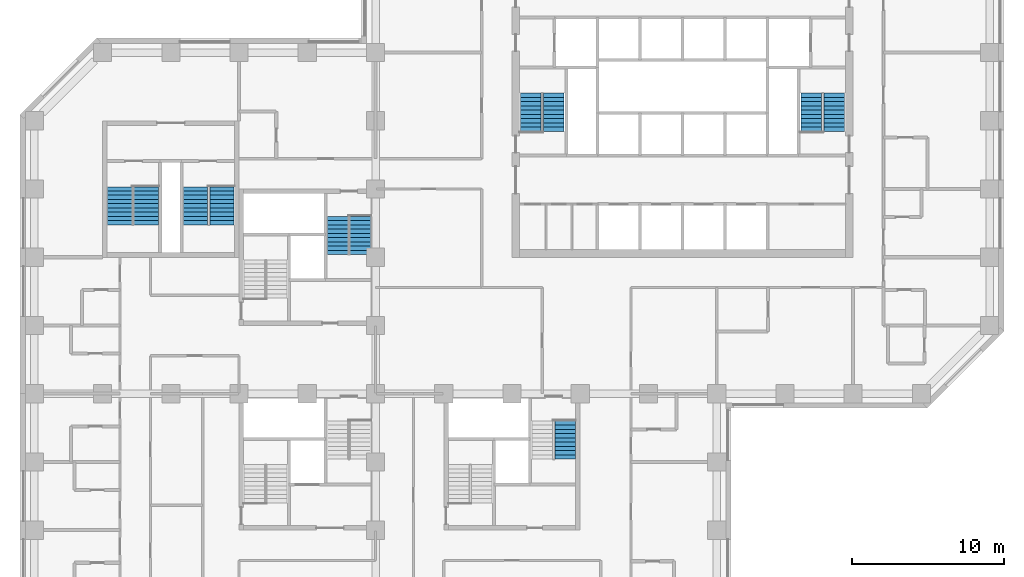
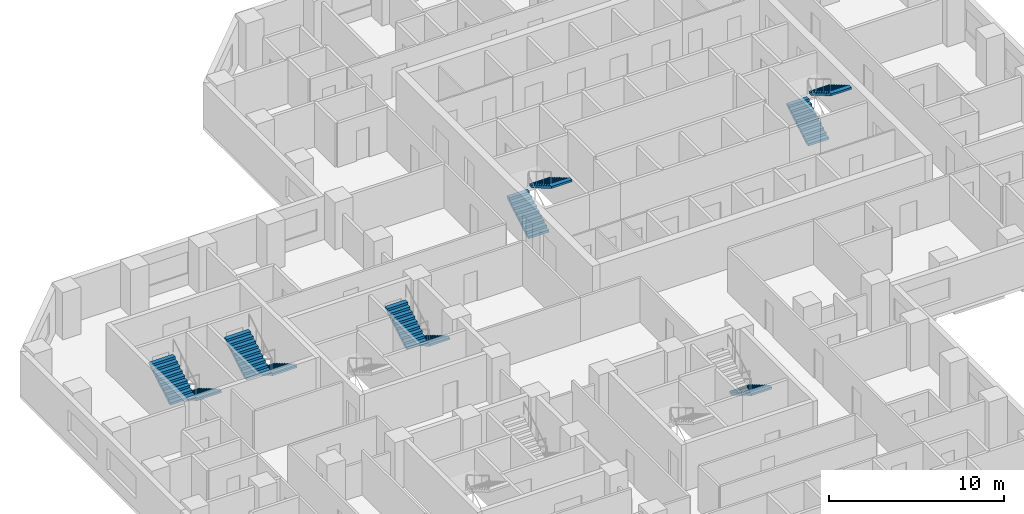
# One storey, part 11 of 12: 11 stair flights, 6 elements without a shape of their own.
"""IFC4 building model written with IfcOpenShell, lengths in metres."""

from ifc_helpers import new_model, si_unit, direction, frame, origin, place, context, subcontext, project, spatial, polyline, outline, extrude, material, type_object, element, aggregate, save


model = new_model("IFC4")

# Units and contexts
model_context = context("Model", 3, precision=1e-05, world=origin(), true_north=direction((0.0, 1.0)))
body_context = subcontext(model_context, "Body", "Model", "MODEL_VIEW")
ifc_project = project(units=[si_unit("LENGTHUNIT", "METRE"), si_unit("AREAUNIT", "SQUARE_METRE"), si_unit("VOLUMEUNIT", "CUBIC_METRE"), si_unit("PLANEANGLEUNIT", "RADIAN"), si_unit("MASSUNIT", "GRAM", prefix="KILO")], contexts=[model_context])

# Site, building, storey
site_placement = place(None, origin())
site = spatial("IfcSite", under=ifc_project, at=site_placement, CompositionType="ELEMENT")
building_placement = place(site_placement, origin())
building = spatial("IfcBuilding", under=site, at=building_placement, Name="Quoin Convention Tower", CompositionType="ELEMENT")
storey_placement = place(building_placement, frame((0.0, 0.0, 33.0)))
storey = spatial("IfcBuildingStorey", under=building, at=storey_placement, Name="L07", CompositionType="ELEMENT", Elevation=33.0)

# Stair, stair flights
ifc_material = material(Name="Concrete C40", Category="concrete")
stair_type_1 = type_object("IfcStairType", Name="Exit stair two-flight 1350", PredefinedType="HALF_TURN_STAIR", material=ifc_material)
stair_1_placement = place(storey_placement, origin())
stair_1 = element("IfcStair", 1, at=stair_1_placement, inside=storey, type_object=stair_type_1, Name="SD1 L07", PredefinedType="HALF_TURN_STAIR")
stair_flight_type_1 = type_object("IfcStairFlightType", Name="Stair flight 1350", PredefinedType="STRAIGHT", material=ifc_material)
stair_flight_1_placement = place(storey_placement, frame((46.25, 57.800048828125, 0.0), z_axis=(0.0, 0.0, 1.0), x_axis=(0.0, 1.0, 0.0)))
stair_flight_1 = element("IfcStairFlight", 2, at=stair_flight_1_placement, type_object=stair_flight_type_1, Name="ST1 flight 1", NumberOfRisers=10, NumberOfTreads=9, PredefinedType="STRAIGHT", RiserHeight=0.165, TreadLength=0.28, context=body_context, shape_type="SweptSolid", body=[
    extrude(outline(polyline([(0.0, 0.0), (0.0, 0.1650390625), (0.280029296875, 0.1650390625), (0.280029296875, 0.330078125), (0.56005859375, 0.330078125), (0.56005859375, 0.4951171875), (0.840087890625, 0.4951171875), (0.840087890625, 0.659912109375), (1.1201171875, 0.659912109375), (1.1201171875, 0.824951171875), (1.39990234375, 0.824951171875), (1.39990234375, 0.989990234375), (1.679931640625, 0.989990234375), (1.679931640625, 1.155029296875), (1.9599609375, 1.155029296875), (1.9599609375, 1.320068359375), (2.239990234375, 1.320068359375), (2.239990234375, 1.485107421875), (2.52001953125, 1.485107421875), (2.52001953125, 1.64990234375), (2.52001953125, 1.345458984375), (0.236572265625, 0.0), (0.0, 0.0)])), frame((0.0, 0.675048828125, 0.0), z_axis=(0.0, -1.0, 0.0), x_axis=(1.0, 0.0, 0.0)), (0.0, 0.0, 1.0), 1.35009765625),
])
stair_flight_2_placement = place(storey_placement, frame((47.75, 60.320068359375, 1.64990234375), z_axis=(0.0, 0.0, 1.0), x_axis=(0.0, -1.0, 0.0)))
stair_flight_2 = element("IfcStairFlight", 3, at=stair_flight_2_placement, type_object=stair_flight_type_1, Name="ST1 flight 2", NumberOfRisers=10, NumberOfTreads=9, PredefinedType="STRAIGHT", RiserHeight=0.165, TreadLength=0.28, context=body_context, shape_type="SweptSolid", body=[
    extrude(outline(polyline([(0.0, 0.0), (0.0, 0.1650390625), (0.280029296875, 0.1650390625), (0.280029296875, 0.330078125), (0.56005859375, 0.330078125), (0.56005859375, 0.4951171875), (0.840087890625, 0.4951171875), (0.840087890625, 0.659912109375), (1.1201171875, 0.659912109375), (1.1201171875, 0.824951171875), (1.39990234375, 0.824951171875), (1.39990234375, 0.989990234375), (1.679931640625, 0.989990234375), (1.679931640625, 1.155029296875), (1.9599609375, 1.155029296875), (1.9599609375, 1.320068359375), (2.239990234375, 1.320068359375), (2.239990234375, 1.485107421875), (2.52001953125, 1.485107421875), (2.52001953125, 1.64990234375), (2.52001953125, 1.345458984375), (0.236572265625, 0.0), (0.0, 0.0)])), frame((0.0, 0.675048828125, 0.0), z_axis=(0.0, -1.0, 0.0), x_axis=(1.0, 0.0, 0.0)), (0.0, 0.0, 1.0), 1.35009765625),
])
aggregate(stair_1, [stair_flight_1, stair_flight_2])

stair_2_placement = place(storey_placement, origin())
stair_2 = element("IfcStair", 4, at=stair_2_placement, inside=storey, type_object=stair_type_1, Name="SD2 L07", PredefinedType="HALF_TURN_STAIR")
stair_flight_3_placement = place(storey_placement, frame((64.75, 57.800048828125, 0.0), z_axis=(0.0, 0.0, 1.0), x_axis=(0.0, 1.0, 0.0)))
stair_flight_3 = element("IfcStairFlight", 5, at=stair_flight_3_placement, type_object=stair_flight_type_1, Name="ST2 flight 1", NumberOfRisers=10, NumberOfTreads=9, PredefinedType="STRAIGHT", RiserHeight=0.165, TreadLength=0.28, context=body_context, shape_type="SweptSolid", body=[
    extrude(outline(polyline([(0.0, 0.0), (0.0, 0.1650390625), (0.280029296875, 0.1650390625), (0.280029296875, 0.330078125), (0.56005859375, 0.330078125), (0.56005859375, 0.4951171875), (0.840087890625, 0.4951171875), (0.840087890625, 0.659912109375), (1.1201171875, 0.659912109375), (1.1201171875, 0.824951171875), (1.39990234375, 0.824951171875), (1.39990234375, 0.989990234375), (1.679931640625, 0.989990234375), (1.679931640625, 1.155029296875), (1.9599609375, 1.155029296875), (1.9599609375, 1.320068359375), (2.239990234375, 1.320068359375), (2.239990234375, 1.485107421875), (2.52001953125, 1.485107421875), (2.52001953125, 1.64990234375), (2.52001953125, 1.345458984375), (0.236572265625, 0.0), (0.0, 0.0)])), frame((0.0, 0.675048828125, 0.0), z_axis=(0.0, -1.0, 0.0), x_axis=(1.0, 0.0, 0.0)), (0.0, 0.0, 1.0), 1.35009765625),
])
stair_flight_4_placement = place(storey_placement, frame((66.25, 60.320068359375, 1.64990234375), z_axis=(0.0, 0.0, 1.0), x_axis=(0.0, -1.0, 0.0)))
stair_flight_4 = element("IfcStairFlight", 6, at=stair_flight_4_placement, type_object=stair_flight_type_1, Name="ST2 flight 2", NumberOfRisers=10, NumberOfTreads=9, PredefinedType="STRAIGHT", RiserHeight=0.165, TreadLength=0.28, context=body_context, shape_type="SweptSolid", body=[
    extrude(outline(polyline([(0.0, 0.0), (0.0, 0.1650390625), (0.280029296875, 0.1650390625), (0.280029296875, 0.330078125), (0.56005859375, 0.330078125), (0.56005859375, 0.4951171875), (0.840087890625, 0.4951171875), (0.840087890625, 0.659912109375), (1.1201171875, 0.659912109375), (1.1201171875, 0.824951171875), (1.39990234375, 0.824951171875), (1.39990234375, 0.989990234375), (1.679931640625, 0.989990234375), (1.679931640625, 1.155029296875), (1.9599609375, 1.155029296875), (1.9599609375, 1.320068359375), (2.239990234375, 1.320068359375), (2.239990234375, 1.485107421875), (2.52001953125, 1.485107421875), (2.52001953125, 1.64990234375), (2.52001953125, 1.345458984375), (0.236572265625, 0.0), (0.0, 0.0)])), frame((0.0, 0.675048828125, 0.0), z_axis=(0.0, -1.0, 0.0), x_axis=(1.0, 0.0, 0.0)), (0.0, 0.0, 1.0), 1.35009765625),
])
aggregate(stair_2, [stair_flight_3, stair_flight_4])

stair_3_placement = place(storey_placement, origin())
stair_3 = element("IfcStair", 7, at=stair_3_placement, inside=storey, type_object=stair_type_1, Name="SD4 L07", PredefinedType="HALF_TURN_STAIR")
stair_flight_5_placement = place(storey_placement, frame((35.0, 52.199951171875, 0.0), z_axis=(0.0, 0.0, 1.0), x_axis=(0.0, -1.0, 0.0)))
stair_flight_5 = element("IfcStairFlight", 8, at=stair_flight_5_placement, type_object=stair_flight_type_1, Name="ST4 flight 1", NumberOfRisers=10, NumberOfTreads=9, PredefinedType="STRAIGHT", RiserHeight=0.165, TreadLength=0.28, context=body_context, shape_type="SweptSolid", body=[
    extrude(outline(polyline([(0.0, 0.0), (0.0, 0.1650390625), (0.280029296875, 0.1650390625), (0.280029296875, 0.330078125), (0.56005859375, 0.330078125), (0.56005859375, 0.4951171875), (0.840087890625, 0.4951171875), (0.840087890625, 0.659912109375), (1.1201171875, 0.659912109375), (1.1201171875, 0.824951171875), (1.39990234375, 0.824951171875), (1.39990234375, 0.989990234375), (1.679931640625, 0.989990234375), (1.679931640625, 1.155029296875), (1.9599609375, 1.155029296875), (1.9599609375, 1.320068359375), (2.239990234375, 1.320068359375), (2.239990234375, 1.485107421875), (2.52001953125, 1.485107421875), (2.52001953125, 1.64990234375), (2.52001953125, 1.345458984375), (0.236572265625, 0.0), (0.0, 0.0)])), frame((0.0, 0.675048828125, 0.0), z_axis=(0.0, -1.0, 0.0), x_axis=(1.0, 0.0, 0.0)), (0.0, 0.0, 1.0), 1.35009765625),
])
stair_flight_6_placement = place(storey_placement, frame((33.5, 49.679931640625, 1.64990234375), z_axis=(0.0, 0.0, 1.0), x_axis=(0.0, 1.0, 0.0)))
stair_flight_6 = element("IfcStairFlight", 9, at=stair_flight_6_placement, type_object=stair_flight_type_1, Name="ST4 flight 2", NumberOfRisers=10, NumberOfTreads=9, PredefinedType="STRAIGHT", RiserHeight=0.165, TreadLength=0.28, context=body_context, shape_type="SweptSolid", body=[
    extrude(outline(polyline([(0.0, 0.0), (0.0, 0.1650390625), (0.280029296875, 0.1650390625), (0.280029296875, 0.330078125), (0.56005859375, 0.330078125), (0.56005859375, 0.4951171875), (0.840087890625, 0.4951171875), (0.840087890625, 0.659912109375), (1.1201171875, 0.659912109375), (1.1201171875, 0.824951171875), (1.39990234375, 0.824951171875), (1.39990234375, 0.989990234375), (1.679931640625, 0.989990234375), (1.679931640625, 1.155029296875), (1.9599609375, 1.155029296875), (1.9599609375, 1.320068359375), (2.239990234375, 1.320068359375), (2.239990234375, 1.485107421875), (2.52001953125, 1.485107421875), (2.52001953125, 1.64990234375), (2.52001953125, 1.345458984375), (0.236572265625, 0.0), (0.0, 0.0)])), frame((0.0, 0.675048828125, 0.0), z_axis=(0.0, -1.0, 0.0), x_axis=(1.0, 0.0, 0.0)), (0.0, 0.0, 1.0), 1.35009765625),
])
aggregate(stair_3, [stair_flight_5, stair_flight_6])

# Stair, stair flight
stair_4_placement = place(storey_placement, origin())
stair_4 = element("IfcStair", 10, at=stair_4_placement, inside=storey, type_object=stair_type_1, Name="SD6 L07", PredefinedType="HALF_TURN_STAIR")
stair_flight_7_placement = place(storey_placement, frame((48.5, 38.699951171875, 0.0), z_axis=(0.0, 0.0, 1.0), x_axis=(0.0, -1.0, 0.0)))
stair_flight_7 = element("IfcStairFlight", 11, at=stair_flight_7_placement, type_object=stair_flight_type_1, Name="ST6 flight 1", NumberOfRisers=10, NumberOfTreads=9, PredefinedType="STRAIGHT", RiserHeight=0.165, TreadLength=0.28, context=body_context, shape_type="SweptSolid", body=[
    extrude(outline(polyline([(0.0, 0.0), (0.0, 0.1650390625), (0.280029296875, 0.1650390625), (0.280029296875, 0.330078125), (0.56005859375, 0.330078125), (0.56005859375, 0.4951171875), (0.840087890625, 0.4951171875), (0.840087890625, 0.659912109375), (1.1201171875, 0.659912109375), (1.1201171875, 0.824951171875), (1.39990234375, 0.824951171875), (1.39990234375, 0.989990234375), (1.679931640625, 0.989990234375), (1.679931640625, 1.155029296875), (1.9599609375, 1.155029296875), (1.9599609375, 1.320068359375), (2.239990234375, 1.320068359375), (2.239990234375, 1.485107421875), (2.52001953125, 1.485107421875), (2.52001953125, 1.64990234375), (2.52001953125, 1.345458984375), (0.236572265625, 0.0), (0.0, 0.0)])), frame((0.0, 0.675048828125, 0.0), z_axis=(0.0, -1.0, 0.0), x_axis=(1.0, 0.0, 0.0)), (0.0, 0.0, 1.0), 1.35009765625),
])
aggregate(stair_4, [stair_flight_7])

# Stair, stair flights
stair_type_2 = type_object("IfcStairType", Name="Exit stair two-flight 1600", PredefinedType="HALF_TURN_STAIR", material=ifc_material)
stair_5_placement = place(storey_placement, origin())
stair_5 = element("IfcStair", 12, at=stair_5_placement, inside=storey, type_object=stair_type_2, Name="SD11 L07", PredefinedType="HALF_TURN_STAIR")
stair_flight_type_2 = type_object("IfcStairFlightType", Name="Stair flight 1600", PredefinedType="STRAIGHT", material=ifc_material)
stair_flight_8_placement = place(storey_placement, frame((20.875, 54.14990234375, 0.0), z_axis=(0.0, 0.0, 1.0), x_axis=(0.0, -1.0, 0.0)))
stair_flight_8 = element("IfcStairFlight", 13, at=stair_flight_8_placement, type_object=stair_flight_type_2, Name="ST11 flight 1", NumberOfRisers=10, NumberOfTreads=9, PredefinedType="STRAIGHT", RiserHeight=0.165, TreadLength=0.28, context=body_context, shape_type="SweptSolid", body=[
    extrude(outline(polyline([(0.0, 0.0), (0.0, 0.1650390625), (0.280029296875, 0.1650390625), (0.280029296875, 0.330078125), (0.56005859375, 0.330078125), (0.56005859375, 0.4951171875), (0.840087890625, 0.4951171875), (0.840087890625, 0.659912109375), (1.1201171875, 0.659912109375), (1.1201171875, 0.824951171875), (1.39990234375, 0.824951171875), (1.39990234375, 0.989990234375), (1.679931640625, 0.989990234375), (1.679931640625, 1.155029296875), (1.9599609375, 1.155029296875), (1.9599609375, 1.320068359375), (2.239990234375, 1.320068359375), (2.239990234375, 1.485107421875), (2.52001953125, 1.485107421875), (2.52001953125, 1.64990234375), (2.52001953125, 1.345458984375), (0.236572265625, 0.0), (0.0, 0.0)])), frame((0.0, 0.800048828125, 0.0), z_axis=(0.0, -1.0, 0.0), x_axis=(1.0, 0.0, 0.0)), (0.0, 0.0, 1.0), 1.60009765625),
])
stair_flight_9_placement = place(storey_placement, frame((19.125, 51.6298828125, 1.64990234375), z_axis=(0.0, 0.0, 1.0), x_axis=(0.0, 1.0, 0.0)))
stair_flight_9 = element("IfcStairFlight", 14, at=stair_flight_9_placement, type_object=stair_flight_type_2, Name="ST11 flight 2", NumberOfRisers=10, NumberOfTreads=9, PredefinedType="STRAIGHT", RiserHeight=0.165, TreadLength=0.28, context=body_context, shape_type="SweptSolid", body=[
    extrude(outline(polyline([(0.0, 0.0), (0.0, 0.1650390625), (0.280029296875, 0.1650390625), (0.280029296875, 0.330078125), (0.56005859375, 0.330078125), (0.56005859375, 0.4951171875), (0.840087890625, 0.4951171875), (0.840087890625, 0.659912109375), (1.1201171875, 0.659912109375), (1.1201171875, 0.824951171875), (1.39990234375, 0.824951171875), (1.39990234375, 0.989990234375), (1.679931640625, 0.989990234375), (1.679931640625, 1.155029296875), (1.9599609375, 1.155029296875), (1.9599609375, 1.320068359375), (2.239990234375, 1.320068359375), (2.239990234375, 1.485107421875), (2.52001953125, 1.485107421875), (2.52001953125, 1.64990234375), (2.52001953125, 1.345458984375), (0.236572265625, 0.0), (0.0, 0.0)])), frame((0.0, 0.800048828125, 0.0), z_axis=(0.0, -1.0, 0.0), x_axis=(1.0, 0.0, 0.0)), (0.0, 0.0, 1.0), 1.60009765625),
])
aggregate(stair_5, [stair_flight_8, stair_flight_9])

stair_6_placement = place(storey_placement, origin())
stair_6 = element("IfcStair", 15, at=stair_6_placement, inside=storey, type_object=stair_type_2, Name="SD12 L07", PredefinedType="HALF_TURN_STAIR")
stair_flight_10_placement = place(storey_placement, frame((25.875, 54.14990234375, 0.0), z_axis=(0.0, 0.0, 1.0), x_axis=(0.0, -1.0, 0.0)))
stair_flight_10 = element("IfcStairFlight", 16, at=stair_flight_10_placement, type_object=stair_flight_type_2, Name="ST12 flight 1", NumberOfRisers=10, NumberOfTreads=9, PredefinedType="STRAIGHT", RiserHeight=0.165, TreadLength=0.28, context=body_context, shape_type="SweptSolid", body=[
    extrude(outline(polyline([(0.0, 0.0), (0.0, 0.1650390625), (0.280029296875, 0.1650390625), (0.280029296875, 0.330078125), (0.56005859375, 0.330078125), (0.56005859375, 0.4951171875), (0.840087890625, 0.4951171875), (0.840087890625, 0.659912109375), (1.1201171875, 0.659912109375), (1.1201171875, 0.824951171875), (1.39990234375, 0.824951171875), (1.39990234375, 0.989990234375), (1.679931640625, 0.989990234375), (1.679931640625, 1.155029296875), (1.9599609375, 1.155029296875), (1.9599609375, 1.320068359375), (2.239990234375, 1.320068359375), (2.239990234375, 1.485107421875), (2.52001953125, 1.485107421875), (2.52001953125, 1.64990234375), (2.52001953125, 1.345458984375), (0.236572265625, 0.0), (0.0, 0.0)])), frame((0.0, 0.800048828125, 0.0), z_axis=(0.0, -1.0, 0.0), x_axis=(1.0, 0.0, 0.0)), (0.0, 0.0, 1.0), 1.60009765625),
])
stair_flight_11_placement = place(storey_placement, frame((24.125, 51.6298828125, 1.64990234375), z_axis=(0.0, 0.0, 1.0), x_axis=(0.0, 1.0, 0.0)))
stair_flight_11 = element("IfcStairFlight", 17, at=stair_flight_11_placement, type_object=stair_flight_type_2, Name="ST12 flight 2", NumberOfRisers=10, NumberOfTreads=9, PredefinedType="STRAIGHT", RiserHeight=0.165, TreadLength=0.28, context=body_context, shape_type="SweptSolid", body=[
    extrude(outline(polyline([(0.0, 0.0), (0.0, 0.1650390625), (0.280029296875, 0.1650390625), (0.280029296875, 0.330078125), (0.56005859375, 0.330078125), (0.56005859375, 0.4951171875), (0.840087890625, 0.4951171875), (0.840087890625, 0.659912109375), (1.1201171875, 0.659912109375), (1.1201171875, 0.824951171875), (1.39990234375, 0.824951171875), (1.39990234375, 0.989990234375), (1.679931640625, 0.989990234375), (1.679931640625, 1.155029296875), (1.9599609375, 1.155029296875), (1.9599609375, 1.320068359375), (2.239990234375, 1.320068359375), (2.239990234375, 1.485107421875), (2.52001953125, 1.485107421875), (2.52001953125, 1.64990234375), (2.52001953125, 1.345458984375), (0.236572265625, 0.0), (0.0, 0.0)])), frame((0.0, 0.800048828125, 0.0), z_axis=(0.0, -1.0, 0.0), x_axis=(1.0, 0.0, 0.0)), (0.0, 0.0, 1.0), 1.60009765625),
])
aggregate(stair_6, [stair_flight_10, stair_flight_11])

save(model, "model.ifc")
